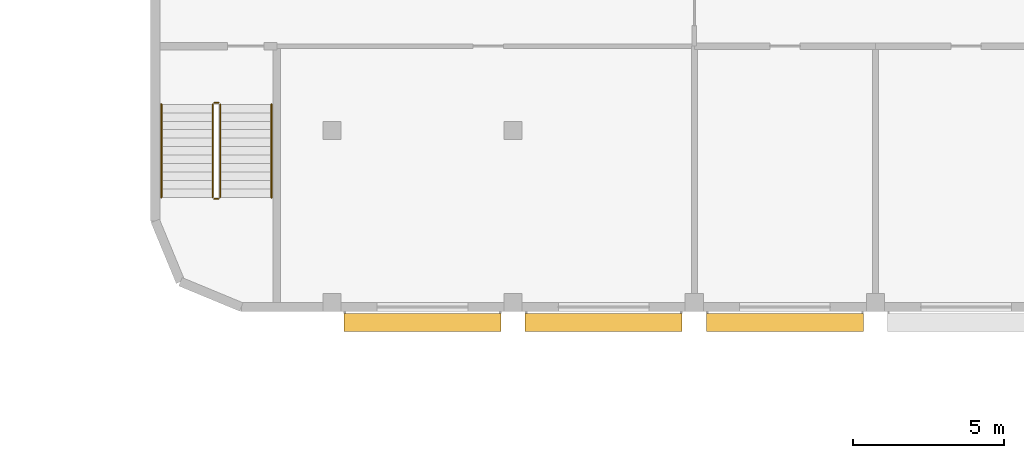
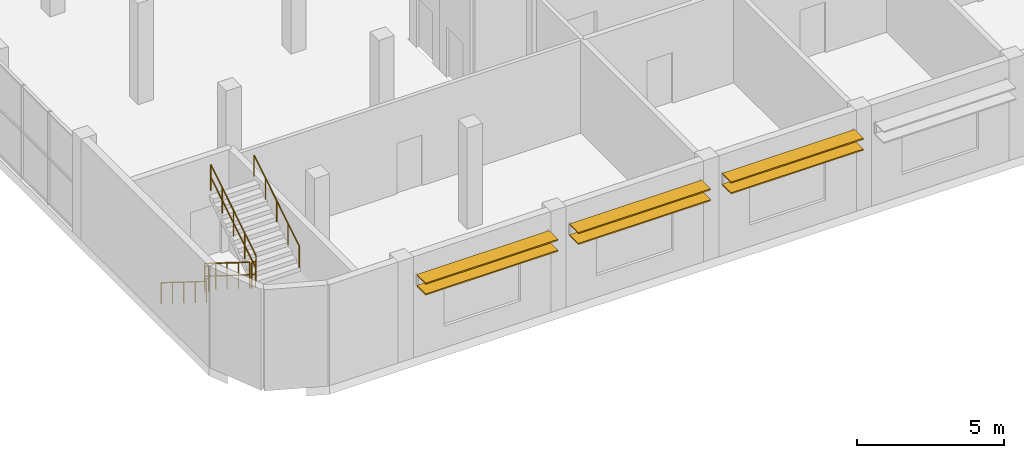
# One storey, part 40 of 45: 6 railings, 6 shading devices.
"""IFC4 building model written with IfcOpenShell, lengths in metres."""

import ifcopenshell
import ifcopenshell.guid

model = None  # the IFC model being written
_history = None  # IfcOwnerHistory: only IFC2X3 demands one
_inside = {}  # id of a spatial element -> (the spatial element, [elements in it])
_under = {}  # id of a project, library or spatial element -> (it, [spatial elements below it])
_declared = {}  # id of a project -> (the project, [libraries it declares])
_typed = {}  # id of a type object -> (the type object, [elements of that type])
_made_of = {}  # id of a material, layer set ... -> (it, [elements and type objects made of it])


def new_model(schema):
    """Start an empty IFC model of exactly this schema.

    Asked for "IFC4X3", IfcOpenShell would pick the latest addendum, in which some entities
    have other attributes; the version numbers below select the first issue.
    IFC2X3 requires an IfcOwnerHistory on every rooted entity: one is made here for all.
    """
    global model, _history
    if schema == "IFC4X3":
        model = ifcopenshell.file(schema_version=(4, 3, 0, 0))
    else:
        model = ifcopenshell.file(schema=schema)
    _inside.clear()
    _under.clear()
    _declared.clear()
    _typed.clear()
    _made_of.clear()
    _history = None
    if model.schema == "IFC2X3":
        org = make("IfcOrganization", Name="unknown")
        user = make(
            "IfcPersonAndOrganization",
            ThePerson=make("IfcPerson", FamilyName="unknown"),
            TheOrganization=org,
        )
        app = make(
            "IfcApplication",
            ApplicationDeveloper=org,
            Version="unknown",
            ApplicationFullName="unknown",
            ApplicationIdentifier="unknown",
        )
        _history = make(
            "IfcOwnerHistory",
            OwningUser=user,
            OwningApplication=app,
            ChangeAction="ADDED",
            CreationDate=0,
        )
    return model


def make(cls, **values):
    """One entity of the class cls with the attributes given. An attribute that is None is left unset."""
    return model.create_entity(
        cls, **{name: value for name, value in values.items() if value is not None}
    )


def rooted(cls, **values):
    """An entity with a GlobalId (a new one), such as an element, a storey or a relation."""
    return make(cls, GlobalId=ifcopenshell.guid.new(), OwnerHistory=_history, **values)


def si_unit(unit_type, name, prefix=None):
    """IfcSIUnit, for example si_unit("LENGTHUNIT", "METRE", prefix="MILLI")."""
    return make("IfcSIUnit", UnitType=unit_type, Prefix=prefix, Name=name)


def assignment(units):
    """IfcUnitAssignment: the units of a project."""
    return None if units is None else make("IfcUnitAssignment", Units=units)


def point(xyz):
    """IfcCartesianPoint."""
    return None if xyz is None else make("IfcCartesianPoint", Coordinates=xyz)


def direction(xyz):
    """IfcDirection."""
    return None if xyz is None else make("IfcDirection", DirectionRatios=xyz)


def frame(location, z_axis=None, x_axis=None):
    """IfcAxis2Placement3D, a coordinate frame: its origin and axes. An axis left out is left unset."""
    return make(
        "IfcAxis2Placement3D",
        Location=point(location),
        Axis=direction(z_axis),
        RefDirection=direction(x_axis),
    )


def frame_2d(location, x_axis=None):
    """IfcAxis2Placement2D, a coordinate frame in the plane: its origin and x axis."""
    return make(
        "IfcAxis2Placement2D", Location=point(location), RefDirection=direction(x_axis)
    )


def origin():
    """The frame at (0, 0, 0) with its axes left unset."""
    return frame((0.0, 0.0, 0.0))


def origin_2d():
    """The frame at (0, 0) in the plane with its x axis left unset."""
    return frame_2d((0.0, 0.0))


def place(relative_to, where):
    """IfcLocalPlacement: puts the frame where relative to a parent placement (None: the world)."""
    return make(
        "IfcLocalPlacement", PlacementRelTo=relative_to, RelativePlacement=where
    )


def context(
    kind, dimensions, precision=None, world=None, true_north=None, identifier=None
):
    """IfcGeometricRepresentationContext, for example the 3D "Model" context."""
    return make(
        "IfcGeometricRepresentationContext",
        ContextIdentifier=identifier,
        ContextType=kind,
        CoordinateSpaceDimension=dimensions,
        Precision=precision,
        WorldCoordinateSystem=world,
        TrueNorth=true_north,
    )


def subcontext(parent, identifier, kind, view, scale=None):
    """IfcGeometricRepresentationSubContext, for example "Body" below "Model"."""
    return make(
        "IfcGeometricRepresentationSubContext",
        ContextIdentifier=identifier,
        ContextType=kind,
        ParentContext=parent,
        TargetScale=scale,
        TargetView=view,
    )


def project(units=None, contexts=None):
    """IfcProject with its units and contexts."""
    return rooted(
        "IfcProject",
        Name="project",
        RepresentationContexts=contexts,
        UnitsInContext=assignment(units),
    )


def spatial(cls, under=None, at=None, **own):
    """A site, building, storey or space (cls), placed at a placement, below another one or the project."""
    s = rooted(cls, ObjectPlacement=at, **own)
    if under is not None:
        _under.setdefault(under.id(), (under, []))[1].append(s)
    return s


def profile(cls, at=None, kind="AREA", **sizes):
    """A parametric profile (cls). Its sizes go by their IFC names, for example OverallWidth=200.0."""
    return make(cls, ProfileType=kind, Position=at, **sizes)


def rectangle(**sizes):
    """IfcRectangleProfileDef."""
    return profile("IfcRectangleProfileDef", **sizes)


def circle(**sizes):
    """IfcCircleProfileDef."""
    return profile("IfcCircleProfileDef", **sizes)


def extrude(swept, where, along, depth):
    """IfcExtrudedAreaSolid: the profile swept, set in the frame where, extruded along a direction by depth."""
    return make(
        "IfcExtrudedAreaSolid",
        SweptArea=swept,
        Position=where,
        ExtrudedDirection=direction(along),
        Depth=depth,
    )


def shape(context_of_items, identifier, shape_type, items):
    """IfcShapeRepresentation: the items that make up one representation, for example the "Body"."""
    return make(
        "IfcShapeRepresentation",
        ContextOfItems=context_of_items,
        RepresentationIdentifier=identifier,
        RepresentationType=shape_type,
        Items=items,
    )


def material(Name=None, Category=None):
    """IfcMaterial."""
    return make("IfcMaterial", Name=Name, Category=Category)


def material_profile(
    of_material, cross_section, Name=None, Category=None, Priority=None
):
    """IfcMaterialProfile: a cross section and its material."""
    return make(
        "IfcMaterialProfile",
        Name=Name,
        Material=of_material,
        Profile=cross_section,
        Priority=Priority,
        Category=Category,
    )


def profile_set(profiles, Name=None, composite=None):
    """IfcMaterialProfileSet."""
    return make(
        "IfcMaterialProfileSet",
        Name=Name,
        MaterialProfiles=profiles,
        CompositeProfile=composite,
    )


def made_of(thing, what):
    """Note that an element or type object is made of a material, layer set ...; save() writes the relation."""
    if what is not None:
        _made_of.setdefault(what.id(), (what, []))[1].append(thing)
    return thing


def type_object(cls, material=None, **own):
    """A type object (cls), such as IfcWallType, which elements share."""
    return made_of(rooted(cls, **own), material)


def element(
    cls,
    number,
    at=None,
    inside=None,
    cuts=None,
    type_object=None,
    material=None,
    context=None,
    identifier="Body",
    shape_type=None,
    held_by="IfcProductDefinitionShape",
    body=None,
    shapes=None,
    **own,
):
    """One element of the class cls, such as IfcWall. Its Tag is "e" and its number.

    at: its placement. inside: the storey or other place that contains it. cuts: it is an
    opening in that element (IfcRelVoidsElement). A single representation is given by context,
    identifier, shape_type and body (its items); several are given by shapes. held_by: the class
    of the entity that holds the representations. save() writes the other relations.
    """
    e = rooted(cls, Tag="e%d" % number, ObjectPlacement=at, **own)
    if body is not None:
        shapes = [shape(context, identifier, shape_type, body)]
    if shapes is not None:
        e.Representation = make(held_by, Representations=shapes)
    if inside is not None:
        _inside.setdefault(inside.id(), (inside, []))[1].append(e)
    if cuts is not None:
        rooted(
            "IfcRelVoidsElement", RelatingBuildingElement=cuts, RelatedOpeningElement=e
        )
    if type_object is not None:
        _typed.setdefault(type_object.id(), (type_object, []))[1].append(e)
    return made_of(e, material)


def aggregate(whole, parts):
    """IfcRelAggregates: a whole, such as a stair, and the parts it consists of."""
    return rooted("IfcRelAggregates", RelatingObject=whole, RelatedObjects=parts)


def save(model, path):
    """Write the relations noted so far, then the file.

    IfcRelAggregates (storeys below a building ...), IfcRelContainedInSpatialStructure (elements
    in a storey), IfcRelDefinesByType, IfcRelAssociatesMaterial and IfcRelDeclares: one each for
    every whole, place, type object, material and project.
    """
    for whole, parts in _under.values():
        aggregate(whole, parts)
    for where, things in _inside.values():
        rooted(
            "IfcRelContainedInSpatialStructure",
            RelatedElements=things,
            RelatingStructure=where,
        )
    for kind, things in _typed.values():
        rooted("IfcRelDefinesByType", RelatedObjects=things, RelatingType=kind)
    for what, things in _made_of.values():
        rooted("IfcRelAssociatesMaterial", RelatedObjects=things, RelatingMaterial=what)
    for by, libraries in _declared.values():
        rooted("IfcRelDeclares", RelatingContext=by, RelatedDefinitions=libraries)
    model.write(path)


model = new_model("IFC4")

# Units and contexts
model_context = context("Model", 3, precision=1e-05, world=origin(), true_north=direction((0.0, 1.0)))
body_context = subcontext(model_context, "Body", "Model", "MODEL_VIEW")
ifc_project = project(units=[si_unit("LENGTHUNIT", "METRE"), si_unit("AREAUNIT", "SQUARE_METRE"), si_unit("VOLUMEUNIT", "CUBIC_METRE"), si_unit("PLANEANGLEUNIT", "RADIAN"), si_unit("MASSUNIT", "GRAM", prefix="KILO")], contexts=[model_context])

# Site, building, storey
site_placement = place(None, origin())
site = spatial("IfcSite", under=ifc_project, at=site_placement, CompositionType="ELEMENT")
building_placement = place(site_placement, origin())
building = spatial("IfcBuilding", under=site, at=building_placement, Name="Nakaniwa Court", CompositionType="ELEMENT")
storey_placement = place(building_placement, frame((0.0, 0.0, 11.39990234375)))
storey = spatial("IfcBuildingStorey", under=building, at=storey_placement, Name="L02", CompositionType="ELEMENT", Elevation=11.39990234375)

# Railings
ifc_material_1 = material(Name="Black powder-coated steel flat bar balustrade S275", Category="steel")
railing_type_1 = type_object("IfcRailingType", Name="Hall guard 1100", PredefinedType="GUARDRAIL", material=ifc_material_1)
railing_1_placement = place(storey_placement, frame((154.050048828125, 62.860107421875, 0.175048828125)))
element("IfcRailing", 1, at=railing_1_placement, inside=storey, type_object=railing_type_1, Name="L02 ST-H1 stair guard 1", PredefinedType="GUARDRAIL", context=body_context, shape_type="SweptSolid", body=[
    extrude(circle(Radius=0.02392578125, at=origin_2d()), frame((0.0, 0.0, 1.076171875), z_axis=(0.0, -0.847998304005, 0.529998940003), x_axis=(1.0, 0.0, 0.0)), (0.0, 0.0, 1.0), 3.632080078125),
    extrude(circle(Radius=0.02392578125, at=origin_2d()), frame((0.0, 0.0, 0.550048828125), z_axis=(0.0, -0.847998304005, 0.529998940003), x_axis=(1.0, 0.0, 0.0)), (0.0, 0.0, 1.0), 3.632080078125),
    extrude(circle(Radius=0.02099609375, at=origin_2d()), origin(), (0.0, 0.0, 1.0), 1.052001953125),
    extrude(circle(Radius=0.02099609375, at=origin_2d()), frame((0.0, -0.77001953125, 0.481201171875)), (0.0, 0.0, 1.0), 1.052001953125),
    extrude(circle(Radius=0.02099609375, at=origin_2d()), frame((0.0, -1.5400390625, 0.96240234375)), (0.0, 0.0, 1.0), 1.052001953125),
    extrude(circle(Radius=0.02099609375, at=origin_2d()), frame((0.0, -2.31005859375, 1.44384765625)), (0.0, 0.0, 1.0), 1.052001953125),
    extrude(circle(Radius=0.02099609375, at=origin_2d()), frame((0.0, -3.080078125, 1.925048828125)), (0.0, 0.0, 1.0), 1.052001953125),
])
railing_2_placement = place(storey_placement, frame((154.10009765625, 59.72998046875, 2.10009765625)))
element("IfcRailing", 2, at=railing_2_placement, inside=storey, type_object=railing_type_1, Name="L02 ST-H1 stair guard 2", PredefinedType="GUARDRAIL", context=body_context, shape_type="SweptSolid", body=[
    extrude(circle(Radius=0.02392578125, at=origin_2d()), frame((0.0, 0.0, 1.076171875), z_axis=(1.0, 0.0, 0.0), x_axis=(0.0, 1.0, 0.0)), (0.0, 0.0, 1.0), 0.14990234375),
    extrude(circle(Radius=0.02392578125, at=origin_2d()), frame((0.0, 0.0, 0.550048828125), z_axis=(1.0, 0.0, 0.0), x_axis=(0.0, 1.0, 0.0)), (0.0, 0.0, 1.0), 0.14990234375),
    extrude(circle(Radius=0.02099609375, at=origin_2d()), origin(), (0.0, 0.0, 1.0), 1.052001953125),
    extrude(circle(Radius=0.02099609375, at=origin_2d()), frame((0.14990234375, 0.0, 0.0)), (0.0, 0.0, 1.0), 1.052001953125),
])
railing_3_placement = place(storey_placement, frame((154.300048828125, 59.780029296875, 2.275146484375)))
element("IfcRailing", 3, at=railing_3_placement, inside=storey, type_object=railing_type_1, Name="L02 ST-H1 stair guard 3", PredefinedType="GUARDRAIL", context=body_context, shape_type="SweptSolid", body=[
    extrude(circle(Radius=0.02392578125, at=origin_2d()), frame((0.0, 0.0, 1.076171875), z_axis=(0.0, 0.847998304005, 0.529998940003), x_axis=(-1.0, 0.0, 0.0)), (0.0, 0.0, 1.0), 3.632080078125),
    extrude(circle(Radius=0.02392578125, at=origin_2d()), frame((0.0, 0.0, 0.550048828125), z_axis=(0.0, 0.847998304005, 0.529998940003), x_axis=(-1.0, 0.0, 0.0)), (0.0, 0.0, 1.0), 3.632080078125),
    extrude(circle(Radius=0.02099609375, at=origin_2d()), origin(), (0.0, 0.0, 1.0), 1.052001953125),
    extrude(circle(Radius=0.02099609375, at=origin_2d()), frame((0.0, 0.77001953125, 0.481201171875)), (0.0, 0.0, 1.0), 1.052001953125),
    extrude(circle(Radius=0.02099609375, at=origin_2d()), frame((0.0, 1.5400390625, 0.96240234375)), (0.0, 0.0, 1.0), 1.052001953125),
    extrude(circle(Radius=0.02099609375, at=origin_2d()), frame((0.0, 2.31005859375, 1.44384765625)), (0.0, 0.0, 1.0), 1.052001953125),
    extrude(circle(Radius=0.02099609375, at=origin_2d()), frame((0.0, 3.080078125, 1.925048828125)), (0.0, 0.0, 1.0), 1.052001953125),
])
railing_4_placement = place(storey_placement, frame((154.10009765625, 62.909912109375, 0.0)))
element("IfcRailing", 4, at=railing_4_placement, inside=storey, type_object=railing_type_1, Name="L02 ST-H1 stair guard 4", PredefinedType="GUARDRAIL", context=body_context, shape_type="SweptSolid", body=[
    extrude(circle(Radius=0.02392578125, at=origin_2d()), frame((0.0, 0.0, 1.076171875), z_axis=(1.0, 0.0, 0.0), x_axis=(0.0, 1.0, 0.0)), (0.0, 0.0, 1.0), 0.14990234375),
    extrude(circle(Radius=0.02392578125, at=origin_2d()), frame((0.0, 0.0, 0.550048828125), z_axis=(1.0, 0.0, 0.0), x_axis=(0.0, 1.0, 0.0)), (0.0, 0.0, 1.0), 0.14990234375),
    extrude(circle(Radius=0.02099609375, at=origin_2d()), origin(), (0.0, 0.0, 1.0), 1.052001953125),
    extrude(circle(Radius=0.02099609375, at=origin_2d()), frame((0.14990234375, 0.0, 0.0)), (0.0, 0.0, 1.0), 1.052001953125),
])

# Shading devices
ifc_material_2 = material(Name="Perforated charcoal ceramic louvre blade")
ifc_material_profile = material_profile(ifc_material_2, rectangle(XDim=0.60009765625, YDim=0.050048828125, at=origin_2d()), Name="Hall perforated ceramic louvre blade")
ifc_profile_set = profile_set([ifc_material_profile], Name="Perforated charcoal ceramic louvre blade")
shading_device_type = type_object("IfcShadingDeviceType", Name="Hall perforated ceramic louvre blade", PredefinedType="JALOUSIE", material=ifc_profile_set)
for number, where, z_axis, x_axis, name in (
    (5, (175.60009765625, 55.639892578125, 3.0), (-1.0, 0.0, 0.0), (0.0, -1.0, 0.0), "Louvre blade L02 038.1"),
    (6, (175.60009765625, 55.639892578125, 3.4501953125), (-1.0, 0.0, 0.0), (0.0, -1.0, 0.0), "Louvre blade L02 038.2"),
    (7, (169.60009765625, 55.639892578125, 3.0), (-1.0, 0.0, 0.0), (0.0, -1.0, 0.0), "Louvre blade L02 039.1"),
    (8, (169.60009765625, 55.639892578125, 3.4501953125), (-1.0, 0.0, 0.0), (0.0, -1.0, 0.0), "Louvre blade L02 039.2"),
    (9, (163.60009765625, 55.639892578125, 3.0), (-1.0, 0.0, 0.0), (0.0, -1.0, 0.0), "Louvre blade L02 040.1"),
    (10, (163.60009765625, 55.639892578125, 3.4501953125), (-1.0, 0.0, 0.0), (0.0, -1.0, 0.0), "Louvre blade L02 040.2"),
):
    element("IfcShadingDevice", number, at=place(storey_placement, frame(where, z_axis=z_axis, x_axis=x_axis)), inside=storey, type_object=shading_device_type, Name=name, PredefinedType="JALOUSIE", context=body_context, shape_type="SweptSolid", body=[
        extrude(rectangle(XDim=0.60009765625, YDim=0.050048828125, at=origin_2d()), origin(), (0.0, 0.0, 1.0), 5.2001953125),
    ])

# Railings
ifc_material_3 = material(Name="Brushed stainless steel handrail Grade 304", Category="steel")
railing_type_2 = type_object("IfcRailingType", Name="Hall stair handrail 900", PredefinedType="HANDRAIL", material=ifc_material_3)
railing_5_placement = place(storey_placement, frame((152.35009765625, 62.860107421875, 0.175048828125)))
element("IfcRailing", 11, at=railing_5_placement, inside=storey, type_object=railing_type_2, Name="L02 ST-H1 stair handrail 1", PredefinedType="HANDRAIL", context=body_context, shape_type="SweptSolid", body=[
    extrude(circle(Radius=0.02392578125, at=origin_2d()), frame((0.0, 0.0, 0.8759765625), z_axis=(0.0, -0.847998304005, 0.529998940003), x_axis=(1.0, 0.0, 0.0)), (0.0, 0.0, 1.0), 3.632080078125),
    extrude(circle(Radius=0.02099609375, at=origin_2d()), origin(), (0.0, 0.0, 1.0), 0.851806640625),
    extrude(circle(Radius=0.02099609375, at=origin_2d()), frame((0.0, -0.77001953125, 0.481201171875)), (0.0, 0.0, 1.0), 0.851806640625),
    extrude(circle(Radius=0.02099609375, at=origin_2d()), frame((0.0, -1.5400390625, 0.96240234375)), (0.0, 0.0, 1.0), 0.851806640625),
    extrude(circle(Radius=0.02099609375, at=origin_2d()), frame((0.0, -2.31005859375, 1.44384765625)), (0.0, 0.0, 1.0), 0.851806640625),
    extrude(circle(Radius=0.02099609375, at=origin_2d()), frame((0.0, -3.080078125, 1.925048828125)), (0.0, 0.0, 1.0), 0.851806640625),
])
railing_6_placement = place(storey_placement, frame((156.0, 59.780029296875, 2.275146484375)))
element("IfcRailing", 12, at=railing_6_placement, inside=storey, type_object=railing_type_2, Name="L02 ST-H1 stair handrail 2", PredefinedType="HANDRAIL", context=body_context, shape_type="SweptSolid", body=[
    extrude(circle(Radius=0.02392578125, at=origin_2d()), frame((0.0, 0.0, 0.8759765625), z_axis=(0.0, 0.847998304005, 0.529998940003), x_axis=(-1.0, 0.0, 0.0)), (0.0, 0.0, 1.0), 3.632080078125),
    extrude(circle(Radius=0.02099609375, at=origin_2d()), origin(), (0.0, 0.0, 1.0), 0.851806640625),
    extrude(circle(Radius=0.02099609375, at=origin_2d()), frame((0.0, 0.77001953125, 0.481201171875)), (0.0, 0.0, 1.0), 0.851806640625),
    extrude(circle(Radius=0.02099609375, at=origin_2d()), frame((0.0, 1.5400390625, 0.96240234375)), (0.0, 0.0, 1.0), 0.851806640625),
    extrude(circle(Radius=0.02099609375, at=origin_2d()), frame((0.0, 2.31005859375, 1.44384765625)), (0.0, 0.0, 1.0), 0.851806640625),
    extrude(circle(Radius=0.02099609375, at=origin_2d()), frame((0.0, 3.080078125, 1.925048828125)), (0.0, 0.0, 1.0), 0.851806640625),
])

save(model, "model.ifc")
